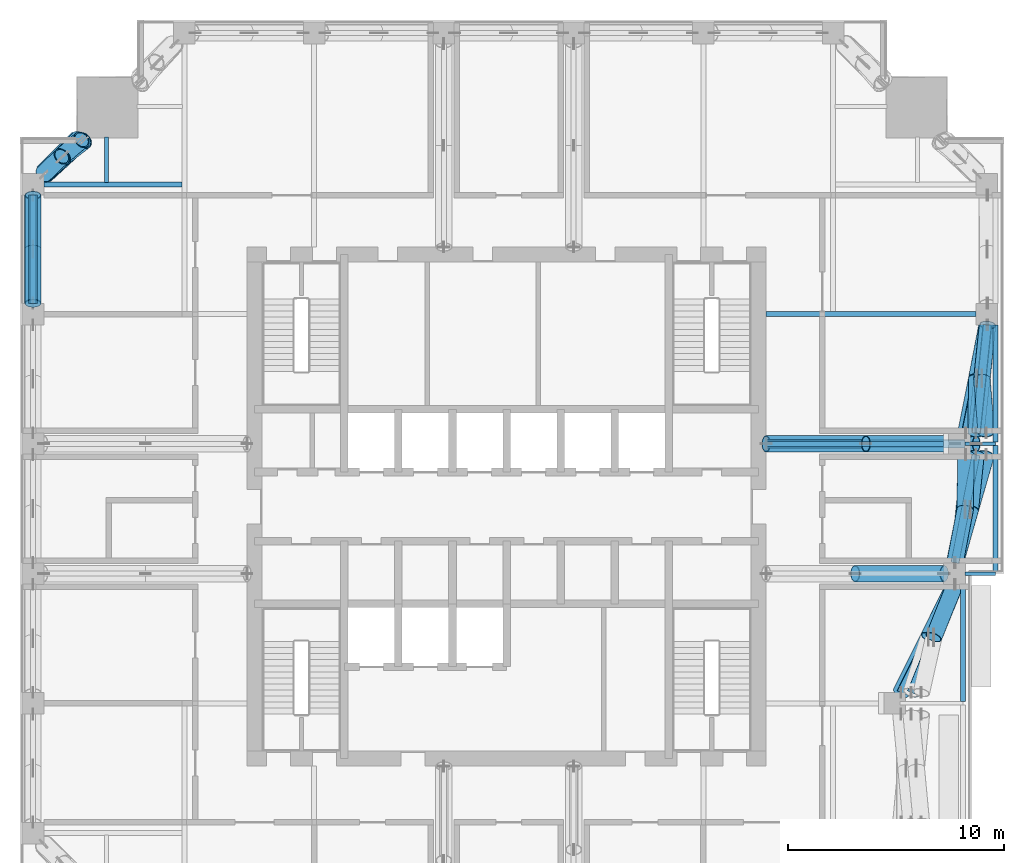
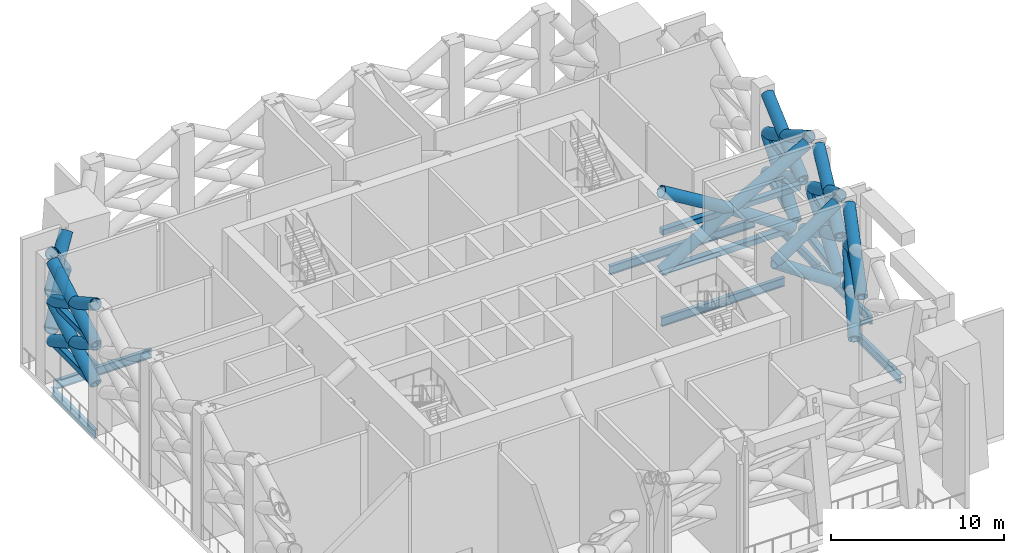
# One storey, part 4 of 18: 34 members, 22 beams.
"""IFC4 building model written with IfcOpenShell, lengths in metres."""

from ifc_helpers import new_model, si_unit, direction, frame, origin, origin_2d, place, context, subcontext, project, spatial, hollow_rectangle, hollow_circle, i_section, extrude, material, material_profile, profile_set, type_object, element, save


model = new_model("IFC4")

# Units and contexts
model_context = context("Model", 3, precision=1e-05, world=origin(), true_north=direction((0.0, 1.0)))
body_context = subcontext(model_context, "Body", "Model", "MODEL_VIEW")
ifc_project = project(units=[si_unit("LENGTHUNIT", "METRE"), si_unit("AREAUNIT", "SQUARE_METRE"), si_unit("VOLUMEUNIT", "CUBIC_METRE"), si_unit("PLANEANGLEUNIT", "RADIAN"), si_unit("MASSUNIT", "GRAM", prefix="KILO")], contexts=[model_context])

# Site, building, storey
site_placement = place(None, origin())
site = spatial("IfcSite", under=ifc_project, at=site_placement, CompositionType="ELEMENT")
building_placement = place(site_placement, origin())
building = spatial("IfcBuilding", under=site, at=building_placement, Name="Amberfall Residences", CompositionType="ELEMENT")
storey_placement = place(building_placement, frame((0.0, 0.0, 178.0)))
storey = spatial("IfcBuildingStorey", under=building, at=storey_placement, Name="L48", CompositionType="ELEMENT", Elevation=178.0)

# Beams
ifc_material = material(Name="Steel S355", Category="steel")
ifc_material_profile_1 = material_profile(ifc_material, hollow_circle(Radius=0.457275390625, WallThickness=0.06005859375, at=origin_2d()), Name="CHS 914.4x60")
ifc_profile_set_1 = profile_set([ifc_material_profile_1], Name="Steel S355")
beam_type_1 = type_object("IfcBeamType", Name="Belt truss chord BT CHS 914.4x60", PredefinedType="BEAM", material=ifc_profile_set_1)
beam_1_placement = place(storey_placement, frame((54.7314453125, 62.493408203125, 3.0), z_axis=(-0.713431003864, -0.700725483143, 0.0), x_axis=(0.700725483143, -0.713431003864, 0.0)))
element("IfcBeam", 1, at=beam_1_placement, inside=storey, type_object=beam_type_1, Name="Belt truss chord BT2 L48 NWW", PredefinedType="BEAM", context=body_context, shape_type="SweptSolid", body=[
    extrude(hollow_circle(Radius=0.457275390625, WallThickness=0.06005859375, at=origin_2d()), origin(), (0.0, 0.0, 1.0), 2.28662109375),
])
beam_2_placement = place(storey_placement, frame((54.852294921875, 62.46435546875, 5.646484375), z_axis=(-0.737201039467, -0.675673462117, 0.0), x_axis=(0.675673462117, -0.737201039467, 0.0)))
element("IfcBeam", 2, at=beam_2_placement, inside=storey, type_object=beam_type_1, Name="Belt truss chord BT2 L48 NWWm", PredefinedType="BEAM", context=body_context, shape_type="SweptSolid", body=[
    extrude(hollow_circle(Radius=0.457275390625, WallThickness=0.06005859375, at=origin_2d()), origin(), (0.0, 0.0, 1.0), 2.376708984375),
])
ifc_material_profile_2 = material_profile(ifc_material, hollow_rectangle(XDim=0.39990234375, YDim=0.39990234375, WallThickness=0.02001953125, InnerFilletRadius=0.02001953125, OuterFilletRadius=0.030029296875, at=origin_2d()), Name="RHS 400x400x20")
ifc_profile_set_2 = profile_set([ifc_material_profile_2], Name="Steel S355")
beam_type_2 = type_object("IfcBeamType", Name="Belt truss chord BT RHS 400x400x20", PredefinedType="BEAM", material=ifc_profile_set_2)
beam_3_placement = place(storey_placement, frame((92.734375, 36.89990234375, 2.89990234375), z_axis=(0.444762880587, 0.895648357366, 0.0), x_axis=(-0.895648357366, 0.444762880587, 0.0)))
element("IfcBeam", 3, at=beam_3_placement, inside=storey, type_object=beam_type_2, Name="Belt truss chord BT3 L48 E2", PredefinedType="BEAM", context=body_context, shape_type="SweptSolid", body=[
    extrude(hollow_rectangle(XDim=0.39990234375, YDim=0.39990234375, WallThickness=0.02001953125, InnerFilletRadius=0.02001953125, OuterFilletRadius=0.030029296875, at=origin_2d()), origin(), (0.0, 0.0, 1.0), 5.58251953125),
])
beam_4_placement = place(storey_placement, frame((93.20703125, 36.89990234375, 5.699951171875), z_axis=(0.37544457323, 0.92684484809, 0.0), x_axis=(-0.92684484809, 0.37544457323, 0.0)))
element("IfcBeam", 4, at=beam_4_placement, inside=storey, type_object=beam_type_2, Name="Belt truss chord BT3 L48 E2m", PredefinedType="BEAM", context=body_context, shape_type="SweptSolid", body=[
    extrude(hollow_rectangle(XDim=0.39990234375, YDim=0.39990234375, WallThickness=0.02001953125, InnerFilletRadius=0.02001953125, OuterFilletRadius=0.030029296875, at=origin_2d()), origin(), (0.0, 0.0, 1.0), 5.39453125),
])
beam_5_placement = place(storey_placement, frame((95.21728515625, 42.89990234375, 2.89990234375), z_axis=(0.102869323906, 0.994694878945, 0.0), x_axis=(-0.994694878945, 0.102869323906, 0.0)))
element("IfcBeam", 5, at=beam_5_placement, inside=storey, type_object=beam_type_2, Name="Belt truss chord BT3 L48 E3", PredefinedType="BEAM", context=body_context, shape_type="SweptSolid", body=[
    extrude(hollow_rectangle(XDim=0.39990234375, YDim=0.39990234375, WallThickness=0.02001953125, InnerFilletRadius=0.02001953125, OuterFilletRadius=0.030029296875, at=origin_2d()), origin(), (0.0, 0.0, 1.0), 5.026611328125),
])
beam_6_placement = place(storey_placement, frame((95.232421875, 42.89990234375, 5.699951171875), z_axis=(0.19132117804, 0.98152748654, 0.0), x_axis=(-0.98152748654, 0.19132117804, 0.0)))
element("IfcBeam", 6, at=beam_6_placement, inside=storey, type_object=beam_type_2, Name="Belt truss chord BT3 L48 E3m", PredefinedType="BEAM", context=body_context, shape_type="SweptSolid", body=[
    extrude(hollow_rectangle(XDim=0.39990234375, YDim=0.39990234375, WallThickness=0.02001953125, InnerFilletRadius=0.02001953125, OuterFilletRadius=0.030029296875, at=origin_2d()), origin(), (0.0, 0.0, 1.0), 5.093994140625),
])
beam_7_placement = place(storey_placement, frame((95.734375, 48.89990234375, 2.89990234375), z_axis=(0.192890285742, 0.981220330847, 0.0), x_axis=(-0.981220330847, 0.192890285742, 0.0)))
element("IfcBeam", 7, at=beam_7_placement, inside=storey, type_object=beam_type_2, Name="Belt truss chord BT3 L48 E4", PredefinedType="BEAM", context=body_context, shape_type="SweptSolid", body=[
    extrude(hollow_rectangle(XDim=0.39990234375, YDim=0.39990234375, WallThickness=0.02001953125, InnerFilletRadius=0.02001953125, OuterFilletRadius=0.030029296875, at=origin_2d()), origin(), (0.0, 0.0, 1.0), 5.095703125),
])
beam_8_placement = place(storey_placement, frame((96.20703125, 48.89990234375, 5.699951171875), z_axis=(0.104502779655, 0.994524594489, 0.0), x_axis=(-0.994524594489, 0.104502779655, 0.0)))
element("IfcBeam", 8, at=beam_8_placement, inside=storey, type_object=beam_type_2, Name="Belt truss chord BT3 L48 E4m", PredefinedType="BEAM", context=body_context, shape_type="SweptSolid", body=[
    extrude(hollow_rectangle(XDim=0.39990234375, YDim=0.39990234375, WallThickness=0.02001953125, InnerFilletRadius=0.02001953125, OuterFilletRadius=0.030029296875, at=origin_2d()), origin(), (0.0, 0.0, 1.0), 5.027587890625),
])
for number, where, z_axis, x_axis, name in (
    (9, (52.60009765625, 54.89990234375, 2.89990234375), (0.0, 1.0, 0.0), (-1.0, 0.0, 0.0), "Belt truss chord BT3 L48 W5"),
    (10, (52.60009765625, 54.89990234375, 5.699951171875), (0.0, 1.0, 0.0), (-1.0, 0.0, 0.0), "Belt truss chord BT3 L48 W5m"),
):
    element("IfcBeam", number, at=place(storey_placement, frame(where, z_axis=z_axis, x_axis=x_axis)), inside=storey, type_object=beam_type_2, Name=name, PredefinedType="BEAM", context=body_context, shape_type="SweptSolid", body=[
        extrude(hollow_rectangle(XDim=0.39990234375, YDim=0.39990234375, WallThickness=0.02001953125, InnerFilletRadius=0.02001953125, OuterFilletRadius=0.030029296875, at=origin_2d()), origin(), (0.0, 0.0, 1.0), 5.0),
    ])

# Members
ifc_material_profile_3 = material_profile(ifc_material, hollow_circle(Radius=0.381103515625, WallThickness=0.0400390625, at=origin_2d()), Name="CHS 762x40")
ifc_profile_set_3 = profile_set([ifc_material_profile_3], Name="Steel S355")
member_type_1 = type_object("IfcMemberType", Name="Belt truss diagonal BT CHS 762x40", PredefinedType="BRACE", material=ifc_profile_set_3)
member_1_placement = place(storey_placement, frame((92.734375, 36.89990234375, 2.89990234375), z_axis=(0.399595384358, 0.799815624672, 0.447904560516), x_axis=(-0.894566923395, 0.446934021493, 0.0)))
element("IfcMember", 11, at=member_1_placement, inside=storey, type_object=member_type_1, Name="Belt truss diagonal BT4 L48 E2d", PredefinedType="BRACE", context=body_context, shape_type="SweptSolid", body=[
    extrude(hollow_circle(Radius=0.381103515625, WallThickness=0.0400390625, at=origin_2d()), origin(), (0.0, 0.0, 1.0), 6.25146484375),
])
member_2_placement = place(storey_placement, frame((94.011962890625, 39.457275390625, 4.33203125), z_axis=(0.3916725298, 0.793737828772, -0.465373923396), x_axis=(-0.896763205037, 0.442510738957, 0.0)))
element("IfcMember", 12, at=member_2_placement, inside=storey, type_object=member_type_1, Name="Belt truss diagonal BT4 L48 E2e2", PredefinedType="BRACE", context=body_context, shape_type="SweptSolid", body=[
    extrude(hollow_circle(Radius=0.381103515625, WallThickness=0.0400390625, at=origin_2d()), origin(), (0.0, 0.0, 1.0), 3.077392578125),
])
member_3_placement = place(storey_placement, frame((93.20703125, 36.89990234375, 5.699951171875), z_axis=(0.335406763727, 0.821961292464, 0.460306350746), x_axis=(-0.925882180154, 0.377812372048, 0.0)))
element("IfcMember", 13, at=member_3_placement, inside=storey, type_object=member_type_1, Name="Belt truss diagonal BT4 L48 E2du", PredefinedType="BRACE", context=body_context, shape_type="SweptSolid", body=[
    extrude(hollow_circle(Radius=0.381103515625, WallThickness=0.0400390625, at=origin_2d()), origin(), (0.0, 0.0, 1.0), 6.0830078125),
])
member_4_placement = place(storey_placement, frame((94.248291015625, 39.451904296875, 7.12890625), z_axis=(0.327986762727, 0.815857918596, -0.476235803086), x_axis=(-0.9278307508, 0.373001471674, 0.0)))
element("IfcMember", 14, at=member_4_placement, inside=storey, type_object=member_type_1, Name="Belt truss diagonal BT4 L48 E2e2u", PredefinedType="BRACE", context=body_context, shape_type="SweptSolid", body=[
    extrude(hollow_circle(Radius=0.381103515625, WallThickness=0.0400390625, at=origin_2d()), origin(), (0.0, 0.0, 1.0), 3.00048828125),
])
member_5_placement = place(storey_placement, frame((95.21728515625, 42.89990234375, 2.89990234375), z_axis=(0.170191483739, 0.859773455098, 0.48148153108), x_axis=(-0.980965641963, 0.194181382447, 0.0)))
element("IfcMember", 15, at=member_5_placement, inside=storey, type_object=member_type_1, Name="Belt truss diagonal BT4 L48 E3d", PredefinedType="BRACE", context=body_context, shape_type="SweptSolid", body=[
    extrude(hollow_circle(Radius=0.381103515625, WallThickness=0.0400390625, at=origin_2d()), origin(), (0.0, 0.0, 1.0), 5.8154296875),
])
member_6_placement = place(storey_placement, frame((95.232421875, 42.89990234375, 5.699951171875), z_axis=(0.164033849273, 0.855041251475, -0.491932266241), x_axis=(-0.982090945683, 0.188407469089, 0.0)))
element("IfcMember", 16, at=member_6_placement, inside=storey, type_object=member_type_1, Name="Belt truss diagonal BT4 L48 E3e", PredefinedType="BRACE", context=body_context, shape_type="SweptSolid", body=[
    extrude(hollow_circle(Radius=0.381103515625, WallThickness=0.0400390625, at=origin_2d()), origin(), (0.0, 0.0, 1.0), 2.884521484375),
])
member_7_placement = place(storey_placement, frame((95.70556640625, 45.3662109375, 4.281005859375), z_axis=(0.009982863133, 0.877984352521, -0.478585226654), x_axis=(-0.999935365472, 0.011369471298, 0.0)))
element("IfcMember", 17, at=member_7_placement, inside=storey, type_object=member_type_1, Name="Belt truss diagonal BT4 L48 E3e2", PredefinedType="BRACE", context=body_context, shape_type="SweptSolid", body=[
    extrude(hollow_circle(Radius=0.381103515625, WallThickness=0.0400390625, at=origin_2d()), origin(), (0.0, 0.0, 1.0), 2.8857421875),
])
member_8_placement = place(storey_placement, frame((95.232421875, 42.89990234375, 5.699951171875), z_axis=(0.244860537186, 0.845941936837, 0.47373574578), x_axis=(-0.960569538935, 0.278039854824, 0.0)))
element("IfcMember", 18, at=member_8_placement, inside=storey, type_object=member_type_1, Name="Belt truss diagonal BT4 L48 E3du", PredefinedType="BRACE", context=body_context, shape_type="SweptSolid", body=[
    extrude(hollow_circle(Radius=0.381103515625, WallThickness=0.0400390625, at=origin_2d()), origin(), (0.0, 0.0, 1.0), 5.91064453125),
])
member_9_placement = place(storey_placement, frame((95.247314453125, 42.89990234375, 8.5), z_axis=(0.238104848771, 0.840379876484, -0.486896030167), x_axis=(-0.962127561946, 0.272599623154, 0.0)))
element("IfcMember", 19, at=member_9_placement, inside=storey, type_object=member_type_1, Name="Belt truss diagonal BT4 L48 E3eu", PredefinedType="BRACE", context=body_context, shape_type="SweptSolid", body=[
    extrude(hollow_circle(Radius=0.381103515625, WallThickness=0.0400390625, at=origin_2d()), origin(), (0.0, 0.0, 1.0), 2.92431640625),
])
member_10_placement = place(storey_placement, frame((95.943603515625, 45.357421875, 7.076171875), z_axis=(0.090742332427, 0.875802270528, -0.474063510559), x_axis=(-0.994675262832, 0.103058825485, 0.0)))
element("IfcMember", 20, at=member_10_placement, inside=storey, type_object=member_type_1, Name="Belt truss diagonal BT4 L48 E3e2u", PredefinedType="BRACE", context=body_context, shape_type="SweptSolid", body=[
    extrude(hollow_circle(Radius=0.381103515625, WallThickness=0.0400390625, at=origin_2d()), origin(), (0.0, 0.0, 1.0), 2.903076171875),
])
member_11_placement = place(storey_placement, frame((95.734375, 48.89990234375, 2.89990234375), z_axis=(0.171576992129, 0.859563796184, 0.481364120041), x_axis=(-0.98065427345, 0.195747786614, 0.0)))
element("IfcMember", 21, at=member_11_placement, inside=storey, type_object=member_type_1, Name="Belt truss diagonal BT4 L48 E4d", PredefinedType="BRACE", context=body_context, shape_type="SweptSolid", body=[
    extrude(hollow_circle(Radius=0.381103515625, WallThickness=0.0400390625, at=origin_2d()), origin(), (0.0, 0.0, 1.0), 5.81689453125),
])
member_12_placement = place(storey_placement, frame((96.20703125, 48.89990234375, 5.699951171875), z_axis=(0.011504241188, 0.878044290681, -0.478441089412), x_axis=(-0.999914178282, 0.013100995014, 0.0)))
element("IfcMember", 22, at=member_12_placement, inside=storey, type_object=member_type_1, Name="Belt truss diagonal BT4 L48 E4e", PredefinedType="BRACE", context=body_context, shape_type="SweptSolid", body=[
    extrude(hollow_circle(Radius=0.381103515625, WallThickness=0.0400390625, at=origin_2d()), origin(), (0.0, 0.0, 1.0), 2.88623046875),
])
member_13_placement = place(storey_placement, frame((96.240234375, 51.43408203125, 4.319091796875), z_axis=(0.165368263365, 0.854769426808, -0.491957888915), x_axis=(-0.981795057434, 0.189943321013, 0.0)))
element("IfcMember", 23, at=member_13_placement, inside=storey, type_object=member_type_1, Name="Belt truss diagonal BT4 L48 E4e2", PredefinedType="BRACE", context=body_context, shape_type="SweptSolid", body=[
    extrude(hollow_circle(Radius=0.381103515625, WallThickness=0.0400390625, at=origin_2d()), origin(), (0.0, 0.0, 1.0), 2.884765625),
])
member_14_placement = place(storey_placement, frame((96.20703125, 48.89990234375, 5.699951171875), z_axis=(0.093863439426, 0.868650356731, 0.486452682683), x_axis=(-0.994212514224, 0.107431264354, 0.0)))
element("IfcMember", 24, at=member_14_placement, inside=storey, type_object=member_type_1, Name="Belt truss diagonal BT4 L48 E4du", PredefinedType="BRACE", context=body_context, shape_type="SweptSolid", body=[
    extrude(hollow_circle(Radius=0.381103515625, WallThickness=0.0400390625, at=origin_2d()), origin(), (0.0, 0.0, 1.0), 5.756103515625),
])
member_15_placement = place(storey_placement, frame((96.6796875, 48.89990234375, 8.5), z_axis=(-0.069258363973, 0.874397415732, -0.480242062277), x_axis=(-0.996877811685, -0.078959664194, 0.0)))
element("IfcMember", 25, at=member_15_placement, inside=storey, type_object=member_type_1, Name="Belt truss diagonal BT4 L48 E4eu", PredefinedType="BRACE", context=body_context, shape_type="SweptSolid", body=[
    extrude(hollow_circle(Radius=0.381103515625, WallThickness=0.0400390625, at=origin_2d()), origin(), (0.0, 0.0, 1.0), 2.886962890625),
])
member_16_placement = place(storey_placement, frame((96.479736328125, 51.42431640625, 7.113525390625), z_axis=(0.08829241526, 0.865009749506, -0.493925685369), x_axis=(-0.994831109021, 0.101543412015, 0.0)))
element("IfcMember", 26, at=member_16_placement, inside=storey, type_object=member_type_1, Name="Belt truss diagonal BT4 L48 E4e2u", PredefinedType="BRACE", context=body_context, shape_type="SweptSolid", body=[
    extrude(hollow_circle(Radius=0.381103515625, WallThickness=0.0400390625, at=origin_2d()), origin(), (0.0, 0.0, 1.0), 2.86181640625),
])
member_17_placement = place(storey_placement, frame((52.60009765625, 54.89990234375, 2.89990234375), z_axis=(0.0, 0.872502383543, 0.488609855315), x_axis=(-1.0, 0.0, 0.0)))
element("IfcMember", 27, at=member_17_placement, inside=storey, type_object=member_type_1, Name="Belt truss diagonal BT4 L48 W5d", PredefinedType="BRACE", context=body_context, shape_type="SweptSolid", body=[
    extrude(hollow_circle(Radius=0.381103515625, WallThickness=0.0400390625, at=origin_2d()), origin(), (0.0, 0.0, 1.0), 5.730712890625),
])
member_18_placement = place(storey_placement, frame((52.60009765625, 54.89990234375, 5.699951171875), z_axis=(0.0, 0.872520545396, -0.488577422588), x_axis=(-1.0, 0.0, 0.0)))
element("IfcMember", 28, at=member_18_placement, inside=storey, type_object=member_type_1, Name="Belt truss diagonal BT4 L48 W5e", PredefinedType="BRACE", context=body_context, shape_type="SweptSolid", body=[
    extrude(hollow_circle(Radius=0.381103515625, WallThickness=0.0400390625, at=origin_2d()), origin(), (0.0, 0.0, 1.0), 2.865234375),
])
member_19_placement = place(storey_placement, frame((52.60009765625, 57.39990234375, 4.300048828125), z_axis=(0.0, 0.872484221242, -0.488642286018), x_axis=(-1.0, 0.0, 0.0)))
element("IfcMember", 29, at=member_19_placement, inside=storey, type_object=member_type_1, Name="Belt truss diagonal BT4 L48 W5e2", PredefinedType="BRACE", context=body_context, shape_type="SweptSolid", body=[
    extrude(hollow_circle(Radius=0.381103515625, WallThickness=0.0400390625, at=origin_2d()), origin(), (0.0, 0.0, 1.0), 2.865478515625),
])
member_20_placement = place(storey_placement, frame((52.60009765625, 54.89990234375, 5.699951171875), z_axis=(0.0, 0.872502383543, 0.488609855315), x_axis=(-1.0, 0.0, 0.0)))
element("IfcMember", 30, at=member_20_placement, inside=storey, type_object=member_type_1, Name="Belt truss diagonal BT4 L48 W5du", PredefinedType="BRACE", context=body_context, shape_type="SweptSolid", body=[
    extrude(hollow_circle(Radius=0.381103515625, WallThickness=0.0400390625, at=origin_2d()), origin(), (0.0, 0.0, 1.0), 5.730712890625),
])
member_21_placement = place(storey_placement, frame((52.60009765625, 54.89990234375, 8.5), z_axis=(0.0, 0.872520545396, -0.488577422588), x_axis=(-1.0, 0.0, 0.0)))
element("IfcMember", 31, at=member_21_placement, inside=storey, type_object=member_type_1, Name="Belt truss diagonal BT4 L48 W5eu", PredefinedType="BRACE", context=body_context, shape_type="SweptSolid", body=[
    extrude(hollow_circle(Radius=0.381103515625, WallThickness=0.0400390625, at=origin_2d()), origin(), (0.0, 0.0, 1.0), 2.865234375),
])
member_22_placement = place(storey_placement, frame((52.60009765625, 57.39990234375, 7.10009765625), z_axis=(0.0, 0.872484221242, -0.488642286018), x_axis=(-1.0, 0.0, 0.0)))
element("IfcMember", 32, at=member_22_placement, inside=storey, type_object=member_type_1, Name="Belt truss diagonal BT4 L48 W5e2u", PredefinedType="BRACE", context=body_context, shape_type="SweptSolid", body=[
    extrude(hollow_circle(Radius=0.381103515625, WallThickness=0.0400390625, at=origin_2d()), origin(), (0.0, 0.0, 1.0), 2.865478515625),
])
ifc_material_profile_4 = material_profile(ifc_material, hollow_circle(Radius=0.406494140625, WallThickness=0.050048828125, at=origin_2d()), Name="CHS 813x50")
ifc_profile_set_4 = profile_set([ifc_material_profile_4], Name="Steel S355")
member_type_2 = type_object("IfcMemberType", Name="Belt truss diagonal BT CHS 813x50", PredefinedType="BRACE", material=ifc_profile_set_4)
member_23_placement = place(storey_placement, frame((54.7314453125, 62.493408203125, 3.0), z_axis=(-0.464426019809, -0.465468580464, 0.753423833393), x_axis=(0.70789911613, -0.706313557411, 0.0)))
element("IfcMember", 33, at=member_23_placement, inside=storey, type_object=member_type_2, Name="Belt truss diagonal BT5 L48 NWWd", PredefinedType="BRACE", context=body_context, shape_type="SweptSolid", body=[
    extrude(hollow_circle(Radius=0.406494140625, WallThickness=0.050048828125, at=origin_2d()), origin(), (0.0, 0.0, 1.0), 3.5126953125),
])
member_24_placement = place(storey_placement, frame((54.852294921875, 62.46435546875, 5.646484375), z_axis=(-0.509852695955, -0.427827626661, -0.746333538234), x_axis=(0.642796794607, -0.766036735961, 0.0)))
element("IfcMember", 34, at=member_24_placement, inside=storey, type_object=member_type_2, Name="Belt truss diagonal BT5 L48 NWWe", PredefinedType="BRACE", context=body_context, shape_type="SweptSolid", body=[
    extrude(hollow_circle(Radius=0.406494140625, WallThickness=0.050048828125, at=origin_2d()), origin(), (0.0, 0.0, 1.0), 1.806640625),
])
member_25_placement = place(storey_placement, frame((53.93115234375, 61.69140625, 4.298095703125), z_axis=(-0.478521511907, -0.460808906002, -0.747443853939), x_axis=(0.693649819984, -0.720312381704, 0.0)))
element("IfcMember", 35, at=member_25_placement, inside=storey, type_object=member_type_2, Name="Belt truss diagonal BT5 L48 NWWe2", PredefinedType="BRACE", context=body_context, shape_type="SweptSolid", body=[
    extrude(hollow_circle(Radius=0.406494140625, WallThickness=0.050048828125, at=origin_2d()), origin(), (0.0, 0.0, 1.0), 1.73681640625),
])
member_26_placement = place(storey_placement, frame((54.852294921875, 62.46435546875, 5.646484375), z_axis=(-0.490697381104, -0.45828961203, 0.741071326987), x_axis=(0.682561296658, -0.730828349413, 0.0)))
element("IfcMember", 36, at=member_26_placement, inside=storey, type_object=member_type_2, Name="Belt truss diagonal BT5 L48 NWWdu", PredefinedType="BRACE", context=body_context, shape_type="SweptSolid", body=[
    extrude(hollow_circle(Radius=0.406494140625, WallThickness=0.050048828125, at=origin_2d()), origin(), (0.0, 0.0, 1.0), 3.57080078125),
])
member_27_placement = place(storey_placement, frame((54.97119140625, 62.429931640625, 8.292724609375), z_axis=(-0.534148866309, -0.419545782857, -0.733938910747), x_axis=(0.617691722316, -0.786420330474, 0.0)))
element("IfcMember", 37, at=member_27_placement, inside=storey, type_object=member_type_2, Name="Belt truss diagonal BT5 L48 NWWeu", PredefinedType="BRACE", context=body_context, shape_type="SweptSolid", body=[
    extrude(hollow_circle(Radius=0.406494140625, WallThickness=0.050048828125, at=origin_2d()), origin(), (0.0, 0.0, 1.0), 1.834228515625),
])
member_28_placement = place(storey_placement, frame((53.991455078125, 61.660400390625, 6.946533203125), z_axis=(-0.503997958642, -0.453473923347, -0.735083300402), x_axis=(0.668863482174, -0.74338525827, 0.0)))
element("IfcMember", 38, at=member_28_placement, inside=storey, type_object=member_type_2, Name="Belt truss diagonal BT5 L48 NWWe2u", PredefinedType="BRACE", context=body_context, shape_type="SweptSolid", body=[
    extrude(hollow_circle(Radius=0.406494140625, WallThickness=0.050048828125, at=origin_2d()), origin(), (0.0, 0.0, 1.0), 1.7685546875),
])

# Beams
ifc_material_profile_5 = material_profile(ifc_material, i_section(OverallWidth=0.171142578125, OverallDepth=0.351318359375, WebThickness=0.007080078125, FlangeThickness=0.009765625, FilletRadius=0.01025390625, at=origin_2d()), Name="UB 356x171x45")
ifc_profile_set_5 = profile_set([ifc_material_profile_5], Name="Steel S355")
beam_type_3 = type_object("IfcBeamType", Name="Cantilever girder UB 356x171x45", PredefinedType="BEAM", material=ifc_profile_set_5)
for number, where, z_axis, x_axis, name in (
    (39, (95.699951171875, 42.39990234375, -0.525634765625), (1.0, 0.0, 0.0), (0.0, 1.0, 0.0), "Cantilever girder B8 L48 21"),
    (40, (95.699951171875, 48.39990234375, -0.525634765625), (1.0, 0.0, 0.0), (0.0, 1.0, 0.0), "Cantilever girder B8 L48 22"),
):
    element("IfcBeam", number, at=place(storey_placement, frame(where, z_axis=z_axis, x_axis=x_axis)), inside=storey, type_object=beam_type_3, Name=name, PredefinedType="BEAM", context=body_context, shape_type="SweptSolid", body=[
        extrude(i_section(OverallWidth=0.171142578125, OverallDepth=0.351318359375, WebThickness=0.007080078125, FlangeThickness=0.009765625, FilletRadius=0.01025390625, at=origin_2d()), origin(), (0.0, 0.0, 1.0), 1.400146484375),
    ])
ifc_material_profile_6 = material_profile(ifc_material, i_section(OverallWidth=0.228271484375, OverallDepth=0.607666015625, WebThickness=0.010986328125, FlangeThickness=0.017333984375, FilletRadius=0.0126953125, at=origin_2d()), Name="UB 610x229x113")
ifc_profile_set_6 = profile_set([ifc_material_profile_6], Name="Steel S355")
beam_type_4 = type_object("IfcBeamType", Name="Edge beam UB 610x229x113", PredefinedType="SPANDREL", material=ifc_profile_set_6)
beam_9_placement = place(storey_placement, frame((95.60009765625, 36.47998046875, -0.65380859375), z_axis=(0.0, 1.0, 0.0), x_axis=(-1.0, 0.0, 0.0)))
element("IfcBeam", 41, at=beam_9_placement, inside=storey, type_object=beam_type_4, Name="Edge beam B12 L48 15", PredefinedType="SPANDREL", context=body_context, shape_type="SweptSolid", body=[
    extrude(i_section(OverallWidth=0.228271484375, OverallDepth=0.607666015625, WebThickness=0.010986328125, FlangeThickness=0.017333984375, FilletRadius=0.0126953125, at=origin_2d()), origin(), (0.0, 0.0, 1.0), 5.419921875),
])
beam_10_placement = place(storey_placement, frame((97.10009765625, 42.47998046875, -0.65380859375), z_axis=(0.0, 1.0, 0.0), x_axis=(-1.0, 0.0, 0.0)))
element("IfcBeam", 42, at=beam_10_placement, inside=storey, type_object=beam_type_4, Name="Edge beam B12 L48 16", PredefinedType="SPANDREL", context=body_context, shape_type="SweptSolid", body=[
    extrude(i_section(OverallWidth=0.228271484375, OverallDepth=0.607666015625, WebThickness=0.010986328125, FlangeThickness=0.017333984375, FilletRadius=0.0126953125, at=origin_2d()), origin(), (0.0, 0.0, 1.0), 5.840087890625),
])
beam_11_placement = place(storey_placement, frame((97.10009765625, 48.47998046875, -0.65380859375), z_axis=(0.0, 1.0, 0.0), x_axis=(-1.0, 0.0, 0.0)))
element("IfcBeam", 43, at=beam_11_placement, inside=storey, type_object=beam_type_4, Name="Edge beam B12 L48 17", PredefinedType="SPANDREL", context=body_context, shape_type="SweptSolid", body=[
    extrude(i_section(OverallWidth=0.228271484375, OverallDepth=0.607666015625, WebThickness=0.010986328125, FlangeThickness=0.017333984375, FilletRadius=0.0126953125, at=origin_2d()), origin(), (0.0, 0.0, 1.0), 5.419921875),
])
beam_12_placement = place(storey_placement, frame((52.60009765625, 54.89990234375, -0.65380859375), z_axis=(0.0, 1.0, 0.0), x_axis=(-1.0, 0.0, 0.0)))
element("IfcBeam", 44, at=beam_12_placement, inside=storey, type_object=beam_type_4, Name="Edge beam B12 L48 44", PredefinedType="SPANDREL", context=body_context, shape_type="SweptSolid", body=[
    extrude(i_section(OverallWidth=0.228271484375, OverallDepth=0.607666015625, WebThickness=0.010986328125, FlangeThickness=0.017333984375, FilletRadius=0.0126953125, at=origin_2d()), origin(), (0.0, 0.0, 1.0), 5.0),
])
ifc_material_profile_7 = material_profile(ifc_material, i_section(OverallWidth=0.230224609375, OverallDepth=0.6171875, WebThickness=0.01318359375, FlangeThickness=0.022216796875, FilletRadius=0.0126953125, at=origin_2d()), Name="UB 610x229x140")
ifc_profile_set_7 = profile_set([ifc_material_profile_7], Name="Steel S355")
beam_type_5 = type_object("IfcBeamType", Name="Floor girder UB 610x229x140", PredefinedType="BEAM", material=ifc_profile_set_7)
beam_13_placement = place(storey_placement, frame((94.699951171875, 48.39990234375, -0.65869140625), z_axis=(-1.0, 0.0, 0.0), x_axis=(0.0, -1.0, 0.0)))
element("IfcBeam", 45, at=beam_13_placement, inside=storey, type_object=beam_type_5, Name="Floor girder B13 L48 26", PredefinedType="BEAM", context=body_context, shape_type="SweptSolid", body=[
    extrude(i_section(OverallWidth=0.230224609375, OverallDepth=0.6171875, WebThickness=0.01318359375, FlangeThickness=0.022216796875, FilletRadius=0.0126953125, at=origin_2d()), origin(), (0.0, 0.0, 1.0), 8.199951171875),
])
beam_14_placement = place(storey_placement, frame((96.199951171875, 54.39990234375, -0.65869140625), z_axis=(-1.0, 0.0, 0.0), x_axis=(0.0, -1.0, 0.0)))
element("IfcBeam", 46, at=beam_14_placement, inside=storey, type_object=beam_type_5, Name="Floor girder B13 L48 27", PredefinedType="BEAM", context=body_context, shape_type="SweptSolid", body=[
    extrude(i_section(OverallWidth=0.230224609375, OverallDepth=0.6171875, WebThickness=0.01318359375, FlangeThickness=0.022216796875, FilletRadius=0.0126953125, at=origin_2d()), origin(), (0.0, 0.0, 1.0), 9.699951171875),
])
beam_15_placement = place(storey_placement, frame((53.10009765625, 60.39990234375, -0.65869140625), z_axis=(1.0, 0.0, 0.0), x_axis=(0.0, 1.0, 0.0)))
element("IfcBeam", 47, at=beam_15_placement, inside=storey, type_object=beam_type_5, Name="Floor girder B13 L48 50", PredefinedType="BEAM", context=body_context, shape_type="SweptSolid", body=[
    extrude(i_section(OverallWidth=0.230224609375, OverallDepth=0.6171875, WebThickness=0.01318359375, FlangeThickness=0.022216796875, FilletRadius=0.0126953125, at=origin_2d()), origin(), (0.0, 0.0, 1.0), 6.3798828125),
])
ifc_material_profile_8 = material_profile(ifc_material, i_section(OverallWidth=0.171142578125, OverallDepth=0.351318359375, WebThickness=0.007080078125, FlangeThickness=0.009765625, FilletRadius=0.01025390625, at=origin_2d()), Name="UB 356x171x45")
ifc_profile_set_8 = profile_set([ifc_material_profile_8], Name="Steel S355")
beam_type_6 = type_object("IfcBeamType", Name="Link beam UB 356x171x45", PredefinedType="BEAM", material=ifc_profile_set_8)
beam_16_placement = place(storey_placement, frame((56.0, 62.60009765625, -0.525634765625), z_axis=(0.0, -1.0, 0.0), x_axis=(1.0, 0.0, 0.0)))
element("IfcBeam", 48, at=beam_16_placement, inside=storey, type_object=beam_type_6, Name="Link beam B7 L48 58", PredefinedType="BEAM", context=body_context, shape_type="SweptSolid", body=[
    extrude(i_section(OverallWidth=0.171142578125, OverallDepth=0.351318359375, WebThickness=0.007080078125, FlangeThickness=0.009765625, FilletRadius=0.01025390625, at=origin_2d()), origin(), (0.0, 0.0, 1.0), 2.12109375),
])
ifc_material_profile_9 = material_profile(ifc_material, hollow_rectangle(XDim=0.39990234375, YDim=0.39990234375, WallThickness=0.02001953125, InnerFilletRadius=0.02001953125, OuterFilletRadius=0.030029296875, at=origin_2d()), Name="RHS 400x400x20")
ifc_profile_set_9 = profile_set([ifc_material_profile_9], Name="Steel S355")
beam_type_7 = type_object("IfcBeamType", Name="Outrigger truss chord OT RHS 400x400x20", PredefinedType="BEAM", material=ifc_profile_set_9)
beam_17_placement = place(storey_placement, frame((95.234375, 48.39990234375, 2.89990234375), z_axis=(-1.0, 0.0, 0.0), x_axis=(0.0, -1.0, 0.0)))
element("IfcBeam", 49, at=beam_17_placement, inside=storey, type_object=beam_type_7, Name="Outrigger truss chord OT2 L48 8", PredefinedType="BEAM", context=body_context, shape_type="SweptSolid", body=[
    extrude(hollow_rectangle(XDim=0.39990234375, YDim=0.39990234375, WallThickness=0.02001953125, InnerFilletRadius=0.02001953125, OuterFilletRadius=0.030029296875, at=origin_2d()), origin(), (0.0, 0.0, 1.0), 8.734375),
])
beam_18_placement = place(storey_placement, frame((95.70703125, 48.39990234375, 5.699951171875), z_axis=(-1.0, 0.0, 0.0), x_axis=(0.0, -1.0, 0.0)))
element("IfcBeam", 50, at=beam_18_placement, inside=storey, type_object=beam_type_7, Name="Outrigger truss chord OT2 L48 8m", PredefinedType="BEAM", context=body_context, shape_type="SweptSolid", body=[
    extrude(hollow_rectangle(XDim=0.39990234375, YDim=0.39990234375, WallThickness=0.02001953125, InnerFilletRadius=0.02001953125, OuterFilletRadius=0.030029296875, at=origin_2d()), origin(), (0.0, 0.0, 1.0), 9.20703125),
])

# Members
ifc_material_profile_10 = material_profile(ifc_material, hollow_circle(Radius=0.381103515625, WallThickness=0.0400390625, at=origin_2d()), Name="CHS 762x40")
ifc_profile_set_10 = profile_set([ifc_material_profile_10], Name="Steel S355")
member_type_3 = type_object("IfcMemberType", Name="Outrigger truss diagonal OT CHS 762x40", PredefinedType="BRACE", material=ifc_profile_set_10)
member_29_placement = place(storey_placement, frame((94.71728515625, 42.39990234375, 2.89990234375), z_axis=(-0.825849566871, 0.0, 0.563890497258), x_axis=(0.0, -1.0, 0.0)))
element("IfcMember", 51, at=member_29_placement, inside=storey, type_object=member_type_3, Name="Outrigger truss diagonal OT3 L48 7.1", PredefinedType="BRACE", context=body_context, shape_type="SweptSolid", body=[
    extrude(hollow_circle(Radius=0.381103515625, WallThickness=0.0400390625, at=origin_2d()), origin(), (0.0, 0.0, 1.0), 4.965576171875),
])
member_30_placement = place(storey_placement, frame((94.748779296875, 42.39990234375, 8.5), z_axis=(-0.82785055227, 0.0, -0.560948717002), x_axis=(0.0, -1.0, 0.0)))
element("IfcMember", 52, at=member_30_placement, inside=storey, type_object=member_type_3, Name="Outrigger truss diagonal OT3 L48 7.1u", PredefinedType="BRACE", context=body_context, shape_type="SweptSolid", body=[
    extrude(hollow_circle(Radius=0.381103515625, WallThickness=0.0400390625, at=origin_2d()), origin(), (0.0, 0.0, 1.0), 4.99169921875),
])
member_31_placement = place(storey_placement, frame((95.234375, 48.39990234375, 2.89990234375), z_axis=(-0.827094183515, 0.0, 0.562063351942), x_axis=(0.0, -1.0, 0.0)))
element("IfcMember", 53, at=member_31_placement, inside=storey, type_object=member_type_3, Name="Outrigger truss diagonal OT3 L48 8.1", PredefinedType="BRACE", context=body_context, shape_type="SweptSolid", body=[
    extrude(hollow_circle(Radius=0.381103515625, WallThickness=0.0400390625, at=origin_2d()), origin(), (0.0, 0.0, 1.0), 4.981689453125),
])
member_32_placement = place(storey_placement, frame((91.114013671875, 48.39990234375, 5.699951171875), z_axis=(-0.854895714877, 0.0, -0.518799881154), x_axis=(0.0, -1.0, 0.0)))
element("IfcMember", 54, at=member_32_placement, inside=storey, type_object=member_type_3, Name="Outrigger truss diagonal OT3 L48 8.2", PredefinedType="BRACE", context=body_context, shape_type="SweptSolid", body=[
    extrude(hollow_circle(Radius=0.381103515625, WallThickness=0.0400390625, at=origin_2d()), origin(), (0.0, 0.0, 1.0), 5.397216796875),
])
member_33_placement = place(storey_placement, frame((96.221923828125, 48.39990234375, 8.5), z_axis=(-0.876889348444, 0.0, -0.480692282636), x_axis=(0.0, -1.0, 0.0)))
element("IfcMember", 55, at=member_33_placement, inside=storey, type_object=member_type_3, Name="Outrigger truss diagonal OT3 L48 8.1u", PredefinedType="BRACE", context=body_context, shape_type="SweptSolid", body=[
    extrude(hollow_circle(Radius=0.381103515625, WallThickness=0.0400390625, at=origin_2d()), origin(), (0.0, 0.0, 1.0), 5.824951171875),
])
member_34_placement = place(storey_placement, frame((91.114013671875, 48.39990234375, 5.699951171875), z_axis=(-0.854895714877, 0.0, 0.518799881154), x_axis=(0.0, -1.0, 0.0)))
element("IfcMember", 56, at=member_34_placement, inside=storey, type_object=member_type_3, Name="Outrigger truss diagonal OT3 L48 8.2u", PredefinedType="BRACE", context=body_context, shape_type="SweptSolid", body=[
    extrude(hollow_circle(Radius=0.381103515625, WallThickness=0.0400390625, at=origin_2d()), origin(), (0.0, 0.0, 1.0), 5.397216796875),
])

save(model, "model.ifc")
